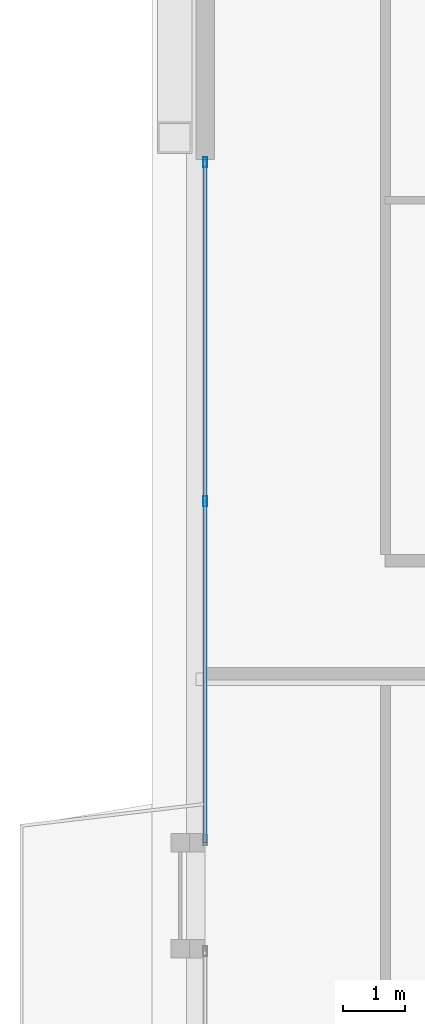
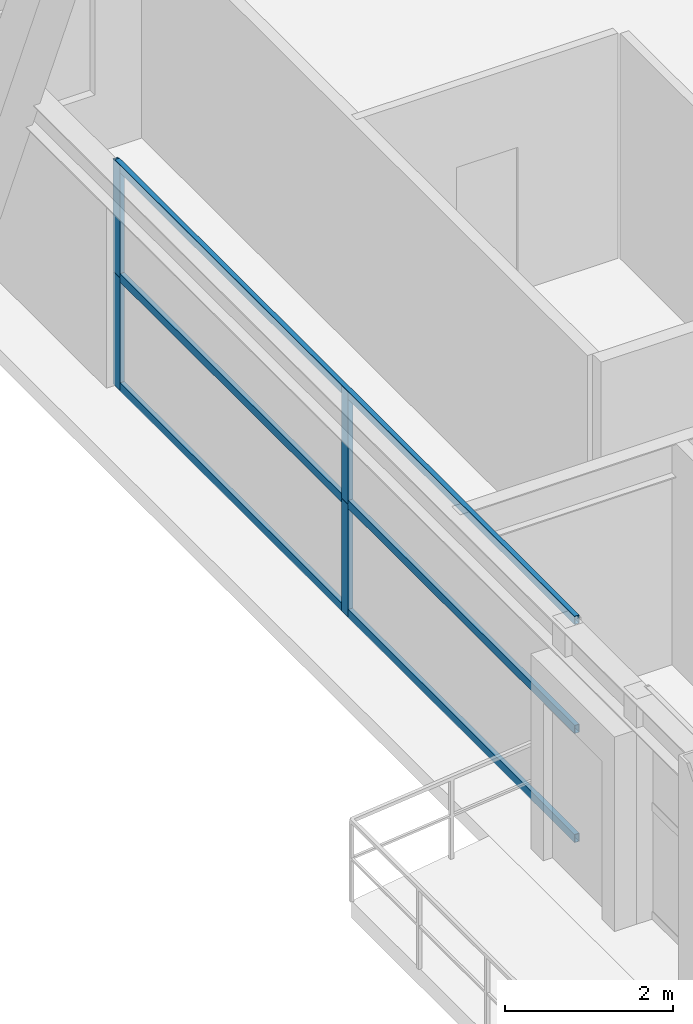
# One storey, part 25 of 42: 7 members, 1 element without a shape of its own.
"""IFC4 building model written with IfcOpenShell, lengths in metres."""

from ifc_helpers import new_model, si_unit, direction, frame, origin, origin_2d, place, context, subcontext, project, spatial, hollow_rectangle, extrude, source, transform, mapped, material, layer, layer_set, material_profile, profile_set, type_object, element, aggregate, save


model = new_model("IFC4")

# Units and contexts
model_context = context("Model", 3, precision=1e-05, world=origin(), true_north=direction((0.0, 1.0)))
body_context = subcontext(model_context, "Body", "Model", "MODEL_VIEW")
ifc_project = project(units=[si_unit("LENGTHUNIT", "METRE"), si_unit("AREAUNIT", "SQUARE_METRE"), si_unit("VOLUMEUNIT", "CUBIC_METRE"), si_unit("PLANEANGLEUNIT", "RADIAN"), si_unit("MASSUNIT", "GRAM", prefix="KILO"), si_unit("THERMODYNAMICTEMPERATUREUNIT", "KELVIN"), si_unit("POWERUNIT", "WATT")], contexts=[model_context])

# Site, building, storey
site_placement = place(None, origin())
site = spatial("IfcSite", under=ifc_project, at=site_placement, CompositionType="ELEMENT")
building_placement = place(site_placement, origin())
building = spatial("IfcBuilding", under=site, at=building_placement, Name="Yuzanri Waterfront Tower", CompositionType="ELEMENT")
storey_placement = place(building_placement, frame((0.0, 0.0, 205.5)))
storey = spatial("IfcBuildingStorey", under=building, at=storey_placement, Name="L54", CompositionType="ELEMENT", Elevation=205.5)

# Curtain wall, members
ifc_material_1 = material(Name="Anodized Architectural Bronze", Category="metal")
ifc_layer = layer(ifc_material_1, 0.159912109375)
ifc_layer_set = layer_set([ifc_layer], Name="Anodized Architectural Bronze")
curtain_wall_type = type_object("IfcCurtainWallType", Name="Anodized Bronze Mid-Rise Residential Acoustic Unitized Curtain Wall 7200", PredefinedType="NOTDEFINED", material=ifc_layer_set)
curtain_wall_placement = place(storey_placement, origin())
curtain_wall = element("IfcCurtainWall", 1, at=curtain_wall_placement, inside=storey, type_object=curtain_wall_type, Name="L54 Curtain Wall CW-L54-WR2", PredefinedType="NOTDEFINED")
ifc_material_2 = material(Name="Anodized Architectural Bronze", Category="metal")
ifc_material_profile_1 = material_profile(ifc_material_2, hollow_rectangle(XDim=0.06494140625, YDim=0.159912109375, WallThickness=0.00341796875, at=origin_2d()), Name="CWM 65x160")
ifc_profile_set_1 = profile_set([ifc_material_profile_1], Name="Anodized Architectural Bronze")
member_type_1 = type_object("IfcMemberType", Name="Anodized Bronze Upper-Zone Curtain-Wall Mullion 65x160", PredefinedType="MULLION", material=ifc_profile_set_1)
shared_shape_1 = source(origin(), body_context, "Body", "SweptSolid", [
    extrude(hollow_rectangle(XDim=0.06494140625, YDim=0.159912109375, WallThickness=0.00341796875, at=origin_2d()), origin(), (0.0, 0.0, 1.0), 1.637939453125),
])
member_1_placement = place(storey_placement, frame((15.050048828125, 35.0625, 0.0), z_axis=(0.0, 0.0, 1.0), x_axis=(1.0, 0.0, 0.0)))
member_1 = element("IfcMember", 2, at=member_1_placement, type_object=member_type_1, Name="CW-L54-WR2 Lower Mullion 01", PredefinedType="MULLION", context=body_context, shape_type="MappedRepresentation", body=[
    mapped(shared_shape_1, transform((0.0, 0.0, 0.0), scale=1.0)),
])
member_2_placement = place(storey_placement, frame((15.050048828125, 35.0625, 1.64208984375), z_axis=(0.0, 0.0, 1.0), x_axis=(1.0, 0.0, 0.0)))
member_2 = element("IfcMember", 3, at=member_2_placement, type_object=member_type_1, Name="CW-L54-WR2 Upper Mullion 01", PredefinedType="MULLION", context=body_context, shape_type="MappedRepresentation", body=[
    mapped(shared_shape_1, transform((0.0, 0.0, 0.0), scale=1.0)),
])
member_3_placement = place(storey_placement, frame((15.050048828125, 40.510009765625, 0.0), z_axis=(0.0, 0.0, 1.0), x_axis=(1.0, 0.0, 0.0)))
member_3 = element("IfcMember", 4, at=member_3_placement, type_object=member_type_1, Name="CW-L54-WR2 Lower Mullion 02", PredefinedType="MULLION", context=body_context, shape_type="MappedRepresentation", body=[
    mapped(shared_shape_1, transform((0.0, 0.0, 0.0), scale=1.0)),
])
member_4_placement = place(storey_placement, frame((15.050048828125, 40.510009765625, 1.64208984375), z_axis=(0.0, 0.0, 1.0), x_axis=(1.0, 0.0, 0.0)))
member_4 = element("IfcMember", 5, at=member_4_placement, type_object=member_type_1, Name="CW-L54-WR2 Upper Mullion 02", PredefinedType="MULLION", context=body_context, shape_type="MappedRepresentation", body=[
    mapped(shared_shape_1, transform((0.0, 0.0, 0.0), scale=1.0)),
])
ifc_material_3 = material(Name="Anodized Architectural Bronze", Category="metal")
ifc_material_profile_2 = material_profile(ifc_material_3, hollow_rectangle(XDim=0.06494140625, YDim=0.1201171875, WallThickness=0.00341796875, at=origin_2d()), Name="CWT 65x120")
ifc_profile_set_2 = profile_set([ifc_material_profile_2], Name="Anodized Architectural Bronze")
member_type_2 = type_object("IfcMemberType", Name="Anodized Bronze Secondary Curtain-Wall Transom 65x120", PredefinedType="USERDEFINED", material=ifc_profile_set_2)
shared_shape_2 = source(origin(), body_context, "Body", "SweptSolid", [
    extrude(hollow_rectangle(XDim=0.06494140625, YDim=0.1201171875, WallThickness=0.00341796875, at=origin_2d()), origin(), (0.0, 0.0, 1.0), 10.97509765625),
])
member_5_placement = place(storey_placement, frame((15.050048828125, 29.574951171875, 0.050048828125), z_axis=(0.0, 1.0, 0.0), x_axis=(-1.0, 0.0, 0.0)))
member_5 = element("IfcMember", 6, at=member_5_placement, type_object=member_type_2, Name="CW-L54-WR2 Transom 1", ObjectType="TRANSOM", PredefinedType="USERDEFINED", context=body_context, shape_type="MappedRepresentation", body=[
    mapped(shared_shape_2, transform((0.0, 0.0, 0.0), scale=1.0)),
])
member_6_placement = place(storey_placement, frame((15.050048828125, 29.574951171875, 1.639892578125), z_axis=(0.0, 1.0, 0.0), x_axis=(-1.0, 0.0, 0.0)))
member_6 = element("IfcMember", 7, at=member_6_placement, type_object=member_type_2, Name="CW-L54-WR2 Transom 2", ObjectType="TRANSOM", PredefinedType="USERDEFINED", context=body_context, shape_type="MappedRepresentation", body=[
    mapped(shared_shape_2, transform((0.0, 0.0, 0.0), scale=1.0)),
])
member_7_placement = place(storey_placement, frame((15.050048828125, 29.574951171875, 3.22998046875), z_axis=(0.0, 1.0, 0.0), x_axis=(-1.0, 0.0, 0.0)))
member_7 = element("IfcMember", 8, at=member_7_placement, type_object=member_type_2, Name="CW-L54-WR2 Transom 3", ObjectType="TRANSOM", PredefinedType="USERDEFINED", context=body_context, shape_type="MappedRepresentation", body=[
    mapped(shared_shape_2, transform((0.0, 0.0, 0.0), scale=1.0)),
])
aggregate(curtain_wall, [member_1, member_2, member_3, member_4, member_5, member_6, member_7])

save(model, "model.ifc")
